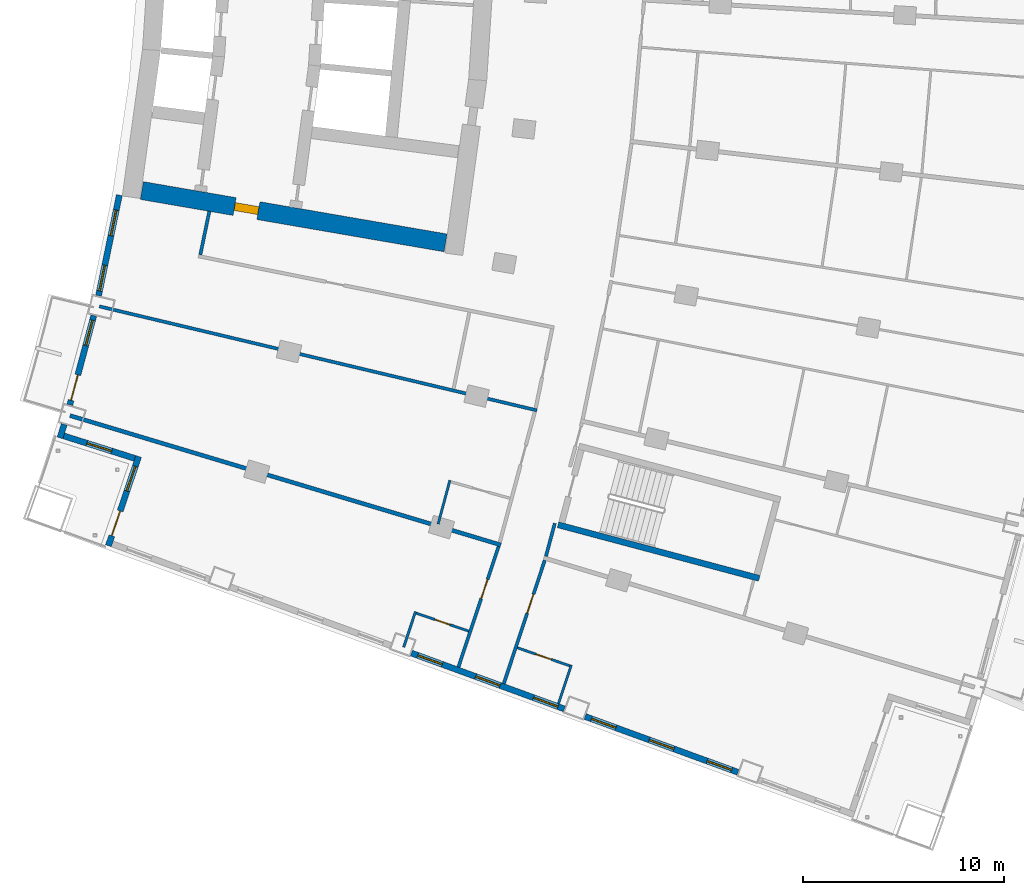
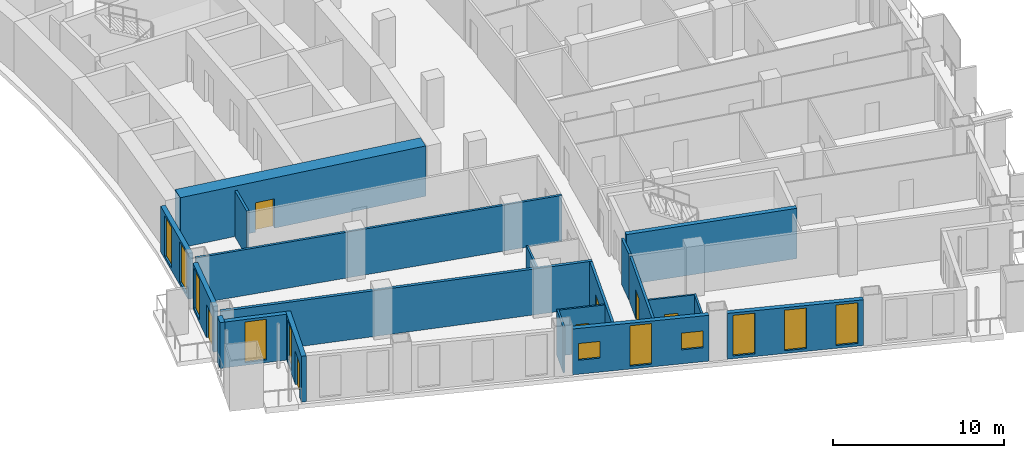
# One storey, part 13 of 25: 20 walls, 11 windows, 7 doors, 18 openings.
"""IFC4 building model written with IfcOpenShell, lengths in metres."""

from ifc_helpers import new_model, si_unit, direction, frame, frame_2d, origin, place, context, subcontext, project, spatial, rectangle, extrude, material, layer, layer_set, type_object, element, fill, save


model = new_model("IFC4")

# Units and contexts
model_context = context("Model", 3, precision=1e-05, world=origin(), true_north=direction((0.0, 1.0)))
body_context = subcontext(model_context, "Body", "Model", "MODEL_VIEW")
ifc_project = project(units=[si_unit("LENGTHUNIT", "METRE"), si_unit("AREAUNIT", "SQUARE_METRE"), si_unit("VOLUMEUNIT", "CUBIC_METRE"), si_unit("PLANEANGLEUNIT", "RADIAN"), si_unit("MASSUNIT", "GRAM", prefix="KILO")], contexts=[model_context])

# Site, building, storey
site_placement = place(None, origin())
site = spatial("IfcSite", under=ifc_project, at=site_placement, CompositionType="ELEMENT")
building_placement = place(site_placement, origin())
building = spatial("IfcBuilding", under=site, at=building_placement, Name="Alderwake Tower", CompositionType="ELEMENT")
storey_placement = place(building_placement, frame((0.0, 0.0, 35.60009765625)))
storey = spatial("IfcBuildingStorey", under=building, at=storey_placement, Name="L07", CompositionType="ELEMENT", Elevation=35.60009765625)

# Wall, opening, door
ifc_material_1 = material(Name="Concrete C70/85", Category="concrete")
ifc_layer_1 = layer(ifc_material_1, 0.89990234375)
ifc_layer_set_1 = layer_set([ifc_layer_1], Name="Core wall outer 900 C70-85")
wall_type_1 = type_object("IfcWallType", Name="Core wall outer 900 C70-85", PredefinedType="SHEAR", material=ifc_layer_set_1)
wall_1_placement = place(storey_placement, frame((31.11328125, 41.846923828125, 0.0), z_axis=(0.0, 0.0, 1.0), x_axis=(-0.985466640605, 0.169869067972, 0.0)))
wall_1 = element("IfcWall", 1, at=wall_1_placement, inside=storey, type_object=wall_type_1, Name="Core wall CW.070", PredefinedType="SHEAR", context=body_context, shape_type="SweptSolid", body=[
    extrude(rectangle(XDim=15.336669921875, YDim=0.89990234375, at=frame_2d((7.66845703125, 0.0))), origin(), (0.0, 0.0, 1.0), 3.599853515625),
])
opening_1_placement = place(wall_1_placement, frame((9.451904296875, 0.0, 0.0)))
opening_1 = element("IfcOpeningElement", 2, at=opening_1_placement, cuts=wall_1, Name="Opening C003", PredefinedType="OPENING", context=body_context, shape_type="SweptSolid", body=[
    extrude(rectangle(XDim=1.199951171875, YDim=2.10009765625, at=frame_2d((0.60009765625, 1.050048828125))), frame((0.0, 0.4599609375, 0.0), z_axis=(0.0, -1.0, 0.0), x_axis=(1.0, 0.0, 0.0)), (0.0, 0.0, 1.0), 0.919921875),
])
ifc_material_2 = material(Name="Steel-framed fire door leaf", Category="steel")
door_type_1 = type_object("IfcDoorType", Name="Core lobby exit door 1200 fire-rated", OperationType="SINGLE_SWING_LEFT", PredefinedType="DOOR", material=ifc_material_2)
door_1_placement = place(opening_1_placement, origin())
door_1 = element("IfcDoor", 3, at=door_1_placement, inside=storey, type_object=door_type_1, Name="Lobby door", OperationType="SINGLE_SWING_LEFT", OverallHeight=2.10009765625, OverallWidth=1.199951171875, PredefinedType="DOOR", context=body_context, shape_type="SweptSolid", body=[
    extrude(rectangle(XDim=1.199951171875, YDim=2.10009765625, at=frame_2d((0.60009765625, 1.050048828125))), frame((0.0, 0.199951171875, 0.0), z_axis=(0.0, -1.0, 0.0), x_axis=(1.0, 0.0, 0.0)), (0.0, 0.0, 1.0), 0.39990234375),
])
fill(opening_1, door_1)

# Walls
ifc_material_3 = material(Name="Concrete C70/85", Category="concrete")
ifc_layer_2 = layer(ifc_material_3, 0.300048828125)
ifc_layer_set_2 = layer_set([ifc_layer_2], Name="Core wall stair enclosure 300 C70-85")
wall_type_2 = type_object("IfcWallType", Name="Core wall stair enclosure 300 C70-85", PredefinedType="SHEAR", material=ifc_layer_set_2)
wall_2_placement = place(storey_placement, frame((36.71142578125, 27.817626953125, 0.0), z_axis=(0.0, 0.0, 1.0), x_axis=(0.966309214305, -0.257383958996, 0.0)))
element("IfcWall", 4, at=wall_2_placement, inside=storey, type_object=wall_type_2, Name="Core wall CW.088", PredefinedType="SHEAR", context=body_context, shape_type="SweptSolid", body=[
    extrude(rectangle(XDim=10.360107421875, YDim=0.300048828125, at=frame_2d((5.18017578125, 0.0))), origin(), (0.0, 0.0, 1.0), 3.599853515625),
])
ifc_material_4 = material(Name="Gypsum board on metal studs, rated")
ifc_layer_3 = layer(ifc_material_4, 0.159912109375)
ifc_layer_set_3 = layer_set([ifc_layer_3], Name="Corridor wall 160")
wall_type_3 = type_object("IfcWallType", Name="Corridor wall 160", PredefinedType="PARTITIONING", material=ifc_layer_set_3)
wall_3_placement = place(storey_placement, frame((13.884033203125, 38.68798828125, 0.0), z_axis=(0.0, 0.0, 1.0), x_axis=(0.972893462073, -0.231253781493, 0.0)))
element("IfcWall", 5, at=wall_3_placement, inside=storey, type_object=wall_type_3, Name="WL/L07/W16", PredefinedType="PARTITIONING", context=body_context, shape_type="SweptSolid", body=[
    extrude(rectangle(XDim=22.38037109375, YDim=0.159912109375, at=frame_2d((11.190185546875, 0.0))), origin(), (0.0, 0.0, 1.0), 3.27978515625),
])
wall_4_placement = place(storey_placement, frame((19.35888671875, 43.430908203125, 0.0), z_axis=(0.0, 0.0, 1.0), x_axis=(-0.202554916658, -0.979270905183, 0.0)))
element("IfcWall", 6, at=wall_4_placement, inside=storey, type_object=wall_type_3, Name="WL/L07/W19", PredefinedType="PARTITIONING", context=body_context, shape_type="SweptSolid", body=[
    extrude(rectangle(XDim=2.229736328125, YDim=0.159912109375, at=frame_2d((1.11474609375, 0.0))), origin(), (0.0, 0.0, 1.0), 3.27978515625),
])

# Wall, opening, door
wall_5_placement = place(storey_placement, frame((31.7548828125, 20.739013671875, 0.0), z_axis=(0.0, 0.0, 1.0), x_axis=(0.31554473692, 0.948910701279, 0.0)))
wall_5 = element("IfcWall", 7, at=wall_5_placement, inside=storey, type_object=wall_type_3, Name="WL/L07/W21", PredefinedType="PARTITIONING", context=body_context, shape_type="SweptSolid", body=[
    extrude(rectangle(XDim=6.327392578125, YDim=0.159912109375, at=frame_2d((3.16357421875, 0.0))), origin(), (0.0, 0.0, 1.0), 3.27978515625),
])
opening_2_placement = place(wall_5_placement, frame((3.59130859375, 0.0, 0.0)))
opening_2 = element("IfcOpeningElement", 8, at=opening_2_placement, cuts=wall_5, Name="Opening R01-U10.1", PredefinedType="OPENING", context=body_context, shape_type="SweptSolid", body=[
    extrude(rectangle(XDim=1.0, YDim=2.10009765625, at=frame_2d((0.5, 1.050048828125))), frame((0.0, 0.08984375, 0.0), z_axis=(0.0, -1.0, 0.0), x_axis=(1.0, 0.0, 0.0)), (0.0, 0.0, 1.0), 0.179931640625),
])
ifc_material_5 = material(Name="Solid timber leaf in steel frame", Category="steel")
door_type_2 = type_object("IfcDoorType", Name="Flat entrance door 1000 fire-rated", OperationType="SINGLE_SWING_LEFT", PredefinedType="DOOR", material=ifc_material_5)
door_2_placement = place(opening_2_placement, origin())
door_2 = element("IfcDoor", 9, at=door_2_placement, inside=storey, type_object=door_type_2, Name="DR/L07/U10.1", OperationType="SINGLE_SWING_LEFT", OverallHeight=2.10009765625, OverallWidth=1.0, PredefinedType="DOOR", context=body_context, shape_type="SweptSolid", body=[
    extrude(rectangle(XDim=1.0, YDim=2.10009765625, at=frame_2d((0.5, 1.050048828125))), frame((0.0, 0.02490234375, 0.0), z_axis=(0.0, -1.0, 0.0), x_axis=(1.0, 0.0, 0.0)), (0.0, 0.0, 1.0), 0.050048828125),
])
fill(opening_2, door_2)

wall_6_placement = place(storey_placement, frame((36.049560546875, 26.052978515625, 0.0), z_axis=(0.0, 0.0, 1.0), x_axis=(-0.315151894598, -0.949041244273, 0.0)))
wall_6 = element("IfcWall", 10, at=wall_6_placement, inside=storey, type_object=wall_type_3, Name="WL/L07/W23", PredefinedType="PARTITIONING", context=body_context, shape_type="SweptSolid", body=[
    extrude(rectangle(XDim=6.468505859375, YDim=0.159912109375, at=frame_2d((3.234375, 0.0))), origin(), (0.0, 0.0, 1.0), 3.27978515625),
])
opening_3_placement = place(wall_6_placement, frame((1.7822265625, 0.0, 0.0)))
opening_3 = element("IfcOpeningElement", 11, at=opening_3_placement, cuts=wall_6, Name="Opening R01-U03.1", PredefinedType="OPENING", context=body_context, shape_type="SweptSolid", body=[
    extrude(rectangle(XDim=1.0, YDim=2.10009765625, at=frame_2d((0.5, 1.050048828125))), frame((0.0, 0.08984375, 0.0), z_axis=(0.0, -1.0, 0.0), x_axis=(1.0, 0.0, 0.0)), (0.0, 0.0, 1.0), 0.179931640625),
])
door_3_placement = place(opening_3_placement, origin())
door_3 = element("IfcDoor", 12, at=door_3_placement, inside=storey, type_object=door_type_2, Name="DR/L07/U03.1", OperationType="SINGLE_SWING_LEFT", OverallHeight=2.10009765625, OverallWidth=1.0, PredefinedType="DOOR", context=body_context, shape_type="SweptSolid", body=[
    extrude(rectangle(XDim=1.0, YDim=2.10009765625, at=frame_2d((0.5, 1.050048828125))), frame((0.0, 0.02490234375, 0.0), z_axis=(0.0, -1.0, 0.0), x_axis=(1.0, 0.0, 0.0)), (0.0, 0.0, 1.0), 0.050048828125),
])
fill(opening_3, door_3)

# Walls
wall_7_placement = place(storey_placement, frame((36.10693359375, 26.24462890625, 0.0), z_axis=(0.0, 0.0, 1.0), x_axis=(0.259346865847, 0.965784242559, 0.0)))
element("IfcWall", 13, at=wall_7_placement, inside=storey, type_object=wall_type_3, Name="WL/L07/W27", PredefinedType="PARTITIONING", context=body_context, shape_type="SweptSolid", body=[
    extrude(rectangle(XDim=1.704833984375, YDim=0.159912109375, at=frame_2d((0.8525390625, 0.0))), origin(), (0.0, 0.0, 1.0), 3.27978515625),
])
ifc_material_6 = material(Name="Precast concrete C50/60 spandrel panel", Category="concrete")
ifc_layer_4 = layer(ifc_material_6, 0.300048828125)
ifc_layer_set_4 = layer_set([ifc_layer_4], Name="External wall EW1 Precast concrete C50/60 spandrel")
wall_type_4 = type_object("IfcWallType", Name="External wall EW1 Precast concrete C50/60 spandrel", PredefinedType="SOLIDWALL", material=ifc_layer_set_4)
wall_8_placement = place(storey_placement, frame((12.1328125, 32.814453125, 0.0), z_axis=(0.0, 0.0, 1.0), x_axis=(-0.294671831364, -0.955598509731, 0.0)))
element("IfcWall", 14, at=wall_8_placement, inside=storey, type_object=wall_type_4, Name="External wall 1", PredefinedType="SOLIDWALL", context=body_context, shape_type="SweptSolid", body=[
    extrude(rectangle(XDim=0.70263671875, YDim=0.300048828125, at=frame_2d((0.351318359375, 0.0))), origin(), (0.0, 0.0, 1.0), 3.27978515625),
])

# Wall, openings, windows
wall_9_placement = place(storey_placement, frame((14.878173828125, 44.223388671875, 0.0), z_axis=(0.0, 0.0, 1.0), x_axis=(-0.202738354746, -0.979232944459, 0.0)))
wall_9 = element("IfcWall", 15, at=wall_9_placement, inside=storey, type_object=wall_type_4, Name="External wall 35", PredefinedType="SOLIDWALL", context=body_context, shape_type="SweptSolid", body=[
    extrude(rectangle(XDim=5.1083984375, YDim=0.300048828125, at=frame_2d((2.55419921875, 0.0))), origin(), (0.0, 0.0, 1.0), 3.27978515625),
])
opening_4_placement = place(wall_9_placement, frame((0.75634765625, 0.0, 0.199951171875)))
opening_4 = element("IfcOpeningElement", 16, at=opening_4_placement, cuts=wall_9, Name="Opening W1", PredefinedType="OPENING", context=body_context, shape_type="SweptSolid", body=[
    extrude(rectangle(XDim=1.300048828125, YDim=2.89990234375, at=frame_2d((0.64990234375, 1.449951171875))), frame((0.0, 0.159912109375, 0.0), z_axis=(0.0, -1.0, 0.0), x_axis=(1.0, 0.0, 0.0)), (0.0, 0.0, 1.0), 0.320068359375),
])
opening_5_placement = place(wall_9_placement, frame((3.569091796875, 0.0, 0.199951171875)))
opening_5 = element("IfcOpeningElement", 17, at=opening_5_placement, cuts=wall_9, Name="Opening W1", PredefinedType="OPENING", context=body_context, shape_type="SweptSolid", body=[
    extrude(rectangle(XDim=1.300048828125, YDim=2.89990234375, at=frame_2d((0.64990234375, 1.449951171875))), frame((0.0, 0.159912109375, 0.0), z_axis=(0.0, -1.0, 0.0), x_axis=(1.0, 0.0, 0.0)), (0.0, 0.0, 1.0), 0.320068359375),
])
ifc_material_7 = material(Name="Bronze tinted glass in aluminium frame", Category="aluminium")
window_type_1 = type_object("IfcWindowType", Name="Window W1 tall fixed and vent", PartitioningType="DOUBLE_PANEL_VERTICAL", PredefinedType="WINDOW", material=ifc_material_7)
window_1_placement = place(opening_4_placement, origin())
window_1 = element("IfcWindow", 18, at=window_1_placement, inside=storey, type_object=window_type_1, Name="Window W1 tall fixed and vent", OverallHeight=2.89990234375, OverallWidth=1.300048828125, PartitioningType="DOUBLE_PANEL_VERTICAL", PredefinedType="WINDOW", context=body_context, shape_type="SweptSolid", body=[
    extrude(rectangle(XDim=1.300048828125, YDim=2.89990234375, at=frame_2d((0.64990234375, 1.449951171875))), frame((0.0, 0.030029296875, 0.0), z_axis=(0.0, -1.0, 0.0), x_axis=(1.0, 0.0, 0.0)), (0.0, 0.0, 1.0), 0.06005859375),
])
fill(opening_4, window_1)
window_2_placement = place(opening_5_placement, origin())
window_2 = element("IfcWindow", 19, at=window_2_placement, inside=storey, type_object=window_type_1, Name="Window W1 tall fixed and vent", OverallHeight=2.89990234375, OverallWidth=1.300048828125, PartitioningType="DOUBLE_PANEL_VERTICAL", PredefinedType="WINDOW", context=body_context, shape_type="SweptSolid", body=[
    extrude(rectangle(XDim=1.300048828125, YDim=2.89990234375, at=frame_2d((0.64990234375, 1.449951171875))), frame((0.0, 0.030029296875, 0.0), z_axis=(0.0, -1.0, 0.0), x_axis=(1.0, 0.0, 0.0)), (0.0, 0.0, 1.0), 0.06005859375),
])
fill(opening_5, window_2)

# Wall, openings, door, window
wall_10_placement = place(storey_placement, frame((13.606689453125, 38.229248046875, 0.0), z_axis=(0.0, 0.0, 1.0), x_axis=(-0.259495671332, -0.965744270788, 0.0)))
wall_10 = element("IfcWall", 20, at=wall_10_placement, inside=storey, type_object=wall_type_4, Name="External wall 36", PredefinedType="SOLIDWALL", context=body_context, shape_type="SweptSolid", body=[
    extrude(rectangle(XDim=4.599609375, YDim=0.300048828125, at=frame_2d((2.2998046875, 0.0))), origin(), (0.0, 0.0, 1.0), 3.27978515625),
])
opening_6_placement = place(wall_10_placement, frame((0.2412109375, 0.0, 0.199951171875)))
opening_6 = element("IfcOpeningElement", 21, at=opening_6_placement, cuts=wall_10, Name="Opening W1", PredefinedType="OPENING", context=body_context, shape_type="SweptSolid", body=[
    extrude(rectangle(XDim=1.300048828125, YDim=2.89990234375, at=frame_2d((0.64990234375, 1.449951171875))), frame((0.0, 0.159912109375, 0.0), z_axis=(0.0, -1.0, 0.0), x_axis=(1.0, 0.0, 0.0)), (0.0, 0.0, 1.0), 0.320068359375),
])
opening_7_placement = place(wall_10_placement, frame((3.058349609375, 0.0, 0.0)))
opening_7 = element("IfcOpeningElement", 22, at=opening_7_placement, cuts=wall_10, Name="Opening D15", PredefinedType="OPENING", context=body_context, shape_type="SweptSolid", body=[
    extrude(rectangle(XDim=1.300048828125, YDim=2.39990234375, at=frame_2d((0.64990234375, 1.199951171875))), frame((0.0, 0.159912109375, 0.0), z_axis=(0.0, -1.0, 0.0), x_axis=(1.0, 0.0, 0.0)), (0.0, 0.0, 1.0), 0.320068359375),
])
ifc_material_8 = material(Name="Bronze tinted glass in aluminium frame", Category="aluminium")
door_type_3 = type_object("IfcDoorType", Name="Balcony door BD sliding", OperationType="SLIDING_TO_LEFT", PredefinedType="DOOR", material=ifc_material_8)
door_4_placement = place(opening_7_placement, origin())
door_4 = element("IfcDoor", 23, at=door_4_placement, inside=storey, type_object=door_type_3, Name="Door D15", OperationType="SLIDING_TO_LEFT", OverallHeight=2.39990234375, OverallWidth=1.300048828125, PredefinedType="DOOR", context=body_context, shape_type="SweptSolid", body=[
    extrude(rectangle(XDim=1.300048828125, YDim=2.39990234375, at=frame_2d((0.64990234375, 1.199951171875))), frame((0.0, 0.02490234375, 0.0), z_axis=(0.0, -1.0, 0.0), x_axis=(1.0, 0.0, 0.0)), (0.0, 0.0, 1.0), 0.050048828125),
])
fill(opening_7, door_4)
window_3_placement = place(opening_6_placement, origin())
window_3 = element("IfcWindow", 24, at=window_3_placement, inside=storey, type_object=window_type_1, Name="Window W1 tall fixed and vent", OverallHeight=2.89990234375, OverallWidth=1.300048828125, PartitioningType="DOUBLE_PANEL_VERTICAL", PredefinedType="WINDOW", context=body_context, shape_type="SweptSolid", body=[
    extrude(rectangle(XDim=1.300048828125, YDim=2.89990234375, at=frame_2d((0.64990234375, 1.449951171875))), frame((0.0, 0.030029296875, 0.0), z_axis=(0.0, -1.0, 0.0), x_axis=(1.0, 0.0, 0.0)), (0.0, 0.0, 1.0), 0.06005859375),
])
fill(opening_6, window_3)

# Wall, opening, window
ifc_material_9 = material(Name="Bronze metal cladding on lightweight framing")
ifc_layer_5 = layer(ifc_material_9, 0.300048828125)
ifc_layer_set_5 = layer_set([ifc_layer_5], Name="External wall EW2 bronze metal cladding")
wall_type_5 = type_object("IfcWallType", Name="External wall EW2 bronze metal cladding", PredefinedType="SOLIDWALL", material=ifc_layer_set_5)
wall_11_placement = place(storey_placement, frame((12.113037109375, 32.2412109375, 0.0), z_axis=(0.0, 0.0, 1.0), x_axis=(0.953458128271, -0.301525451054, 0.0)))
wall_11 = element("IfcWall", 25, at=wall_11_placement, inside=storey, type_object=wall_type_5, Name="External wall 2", PredefinedType="SOLIDWALL", context=body_context, shape_type="SweptSolid", body=[
    extrude(rectangle(XDim=3.705810546875, YDim=0.300048828125, at=frame_2d((1.85302734375, 0.0))), origin(), (0.0, 0.0, 1.0), 3.27978515625),
])
opening_8_placement = place(wall_11_placement, frame((1.202880859375, 0.0, 0.199951171875)))
opening_8 = element("IfcOpeningElement", 26, at=opening_8_placement, cuts=wall_11, Name="Opening W1", PredefinedType="OPENING", context=body_context, shape_type="SweptSolid", body=[
    extrude(rectangle(XDim=1.300048828125, YDim=2.89990234375, at=frame_2d((0.64990234375, 1.449951171875))), frame((0.0, 0.159912109375, 0.0), z_axis=(0.0, -1.0, 0.0), x_axis=(1.0, 0.0, 0.0)), (0.0, 0.0, 1.0), 0.320068359375),
])
window_4_placement = place(opening_8_placement, origin())
window_4 = element("IfcWindow", 27, at=window_4_placement, inside=storey, type_object=window_type_1, Name="Window W1 tall fixed and vent", OverallHeight=2.89990234375, OverallWidth=1.300048828125, PartitioningType="DOUBLE_PANEL_VERTICAL", PredefinedType="WINDOW", context=body_context, shape_type="SweptSolid", body=[
    extrude(rectangle(XDim=1.300048828125, YDim=2.89990234375, at=frame_2d((0.64990234375, 1.449951171875))), frame((0.0, 0.030029296875, 0.0), z_axis=(0.0, -1.0, 0.0), x_axis=(1.0, 0.0, 0.0)), (0.0, 0.0, 1.0), 0.06005859375),
])
fill(opening_8, window_4)

# Wall, openings, door, window
wall_12_placement = place(storey_placement, frame((15.83740234375, 31.220703125, 0.0), z_axis=(0.0, 0.0, 1.0), x_axis=(-0.32041006121, -0.947278941324, 0.0)))
wall_12 = element("IfcWall", 28, at=wall_12_placement, inside=storey, type_object=wall_type_5, Name="External wall 3", PredefinedType="SOLIDWALL", context=body_context, shape_type="SweptSolid", body=[
    extrude(rectangle(XDim=4.68994140625, YDim=0.300048828125, at=frame_2d((2.344970703125, 0.0))), origin(), (0.0, 0.0, 1.0), 3.27978515625),
])
opening_9_placement = place(wall_12_placement, frame((0.5224609375, 0.0, 0.199951171875)))
opening_9 = element("IfcOpeningElement", 29, at=opening_9_placement, cuts=wall_12, Name="Opening W1", PredefinedType="OPENING", context=body_context, shape_type="SweptSolid", body=[
    extrude(rectangle(XDim=1.300048828125, YDim=2.89990234375, at=frame_2d((0.64990234375, 1.449951171875))), frame((0.0, 0.159912109375, 0.0), z_axis=(0.0, -1.0, 0.0), x_axis=(1.0, 0.0, 0.0)), (0.0, 0.0, 1.0), 0.320068359375),
])
opening_10_placement = place(wall_12_placement, frame((2.867431640625, 0.0, 0.0)))
opening_10 = element("IfcOpeningElement", 30, at=opening_10_placement, cuts=wall_12, Name="Opening D01", PredefinedType="OPENING", context=body_context, shape_type="SweptSolid", body=[
    extrude(rectangle(XDim=1.300048828125, YDim=2.39990234375, at=frame_2d((0.64990234375, 1.199951171875))), frame((0.0, 0.159912109375, 0.0), z_axis=(0.0, -1.0, 0.0), x_axis=(1.0, 0.0, 0.0)), (0.0, 0.0, 1.0), 0.320068359375),
])
door_5_placement = place(opening_10_placement, origin())
door_5 = element("IfcDoor", 31, at=door_5_placement, inside=storey, type_object=door_type_3, Name="Door D01", OperationType="SLIDING_TO_LEFT", OverallHeight=2.39990234375, OverallWidth=1.300048828125, PredefinedType="DOOR", context=body_context, shape_type="SweptSolid", body=[
    extrude(rectangle(XDim=1.300048828125, YDim=2.39990234375, at=frame_2d((0.64990234375, 1.199951171875))), frame((0.0, 0.02490234375, 0.0), z_axis=(0.0, -1.0, 0.0), x_axis=(1.0, 0.0, 0.0)), (0.0, 0.0, 1.0), 0.050048828125),
])
fill(opening_10, door_5)
window_5_placement = place(opening_9_placement, origin())
window_5 = element("IfcWindow", 32, at=window_5_placement, inside=storey, type_object=window_type_1, Name="Window W1 tall fixed and vent", OverallHeight=2.89990234375, OverallWidth=1.300048828125, PartitioningType="DOUBLE_PANEL_VERTICAL", PredefinedType="WINDOW", context=body_context, shape_type="SweptSolid", body=[
    extrude(rectangle(XDim=1.300048828125, YDim=2.89990234375, at=frame_2d((0.64990234375, 1.449951171875))), frame((0.0, 0.030029296875, 0.0), z_axis=(0.0, -1.0, 0.0), x_axis=(1.0, 0.0, 0.0)), (0.0, 0.0, 1.0), 0.06005859375),
])
fill(opening_9, window_5)

# Wall, openings, windows
wall_13_placement = place(storey_placement, frame((29.416748046875, 21.432373046875, 0.0), z_axis=(0.0, 0.0, 1.0), x_axis=(0.939375360712, -0.34289055351, 0.0)))
wall_13 = element("IfcWall", 33, at=wall_13_placement, inside=storey, type_object=wall_type_5, Name="External wall 6", PredefinedType="SOLIDWALL", context=body_context, shape_type="SweptSolid", body=[
    extrude(rectangle(XDim=8.095458984375, YDim=0.300048828125, at=frame_2d((4.0478515625, 0.0))), origin(), (0.0, 0.0, 1.0), 3.27978515625),
])
opening_11_placement = place(wall_13_placement, frame((0.3310546875, 0.0, 1.0)))
opening_11 = element("IfcOpeningElement", 34, at=opening_11_placement, cuts=wall_13, Name="Opening W2", PredefinedType="OPENING", context=body_context, shape_type="SweptSolid", body=[
    extrude(rectangle(XDim=1.300048828125, YDim=1.199951171875, at=frame_2d((0.64990234375, 0.60009765625))), frame((0.0, 0.159912109375, 0.0), z_axis=(0.0, -1.0, 0.0), x_axis=(1.0, 0.0, 0.0)), (0.0, 0.0, 1.0), 0.320068359375),
])
opening_12_placement = place(wall_13_placement, frame((3.397705078125, 0.0, 0.199951171875)))
opening_12 = element("IfcOpeningElement", 35, at=opening_12_placement, cuts=wall_13, Name="Opening W1", PredefinedType="OPENING", context=body_context, shape_type="SweptSolid", body=[
    extrude(rectangle(XDim=1.300048828125, YDim=2.89990234375, at=frame_2d((0.64990234375, 1.449951171875))), frame((0.0, 0.159912109375, 0.0), z_axis=(0.0, -1.0, 0.0), x_axis=(1.0, 0.0, 0.0)), (0.0, 0.0, 1.0), 0.320068359375),
])
opening_13_placement = place(wall_13_placement, frame((6.464599609375, 0.0, 1.0)))
opening_13 = element("IfcOpeningElement", 36, at=opening_13_placement, cuts=wall_13, Name="Opening W2", PredefinedType="OPENING", context=body_context, shape_type="SweptSolid", body=[
    extrude(rectangle(XDim=1.300048828125, YDim=1.199951171875, at=frame_2d((0.64990234375, 0.60009765625))), frame((0.0, 0.159912109375, 0.0), z_axis=(0.0, -1.0, 0.0), x_axis=(1.0, 0.0, 0.0)), (0.0, 0.0, 1.0), 0.320068359375),
])
window_6_placement = place(opening_12_placement, origin())
window_6 = element("IfcWindow", 37, at=window_6_placement, inside=storey, type_object=window_type_1, Name="Window W1 tall fixed and vent", OverallHeight=2.89990234375, OverallWidth=1.300048828125, PartitioningType="DOUBLE_PANEL_VERTICAL", PredefinedType="WINDOW", context=body_context, shape_type="SweptSolid", body=[
    extrude(rectangle(XDim=1.300048828125, YDim=2.89990234375, at=frame_2d((0.64990234375, 1.449951171875))), frame((0.0, 0.030029296875, 0.0), z_axis=(0.0, -1.0, 0.0), x_axis=(1.0, 0.0, 0.0)), (0.0, 0.0, 1.0), 0.06005859375),
])
fill(opening_12, window_6)
ifc_material_10 = material(Name="Bronze tinted glass in aluminium frame", Category="aluminium")
window_type_2 = type_object("IfcWindowType", Name="Window W2 kitchen and bath", PartitioningType="SINGLE_PANEL", PredefinedType="WINDOW", material=ifc_material_10)
window_7_placement = place(opening_11_placement, origin())
window_7 = element("IfcWindow", 38, at=window_7_placement, inside=storey, type_object=window_type_2, Name="Window W2 kitchen and bath", OverallHeight=1.199951171875, OverallWidth=1.300048828125, PartitioningType="SINGLE_PANEL", PredefinedType="WINDOW", context=body_context, shape_type="SweptSolid", body=[
    extrude(rectangle(XDim=1.300048828125, YDim=1.199951171875, at=frame_2d((0.64990234375, 0.60009765625))), frame((0.0, 0.030029296875, 0.0), z_axis=(0.0, -1.0, 0.0), x_axis=(1.0, 0.0, 0.0)), (0.0, 0.0, 1.0), 0.06005859375),
])
fill(opening_11, window_7)
window_8_placement = place(opening_13_placement, origin())
window_8 = element("IfcWindow", 39, at=window_8_placement, inside=storey, type_object=window_type_2, Name="Window W2 kitchen and bath", OverallHeight=1.199951171875, OverallWidth=1.300048828125, PartitioningType="SINGLE_PANEL", PredefinedType="WINDOW", context=body_context, shape_type="SweptSolid", body=[
    extrude(rectangle(XDim=1.300048828125, YDim=1.199951171875, at=frame_2d((0.64990234375, 0.60009765625))), frame((0.0, 0.030029296875, 0.0), z_axis=(0.0, -1.0, 0.0), x_axis=(1.0, 0.0, 0.0)), (0.0, 0.0, 1.0), 0.06005859375),
])
fill(opening_13, window_8)

wall_14_placement = place(storey_placement, frame((38.058837890625, 18.277587890625, 0.0), z_axis=(0.0, 0.0, 1.0), x_axis=(0.939382451577, -0.342871126912, 0.0)))
wall_14 = element("IfcWall", 40, at=wall_14_placement, inside=storey, type_object=wall_type_5, Name="External wall 7", PredefinedType="SOLIDWALL", context=body_context, shape_type="SweptSolid", body=[
    extrude(rectangle(XDim=8.095947265625, YDim=0.300048828125, at=frame_2d((4.0478515625, 0.0))), origin(), (0.0, 0.0, 1.0), 3.27978515625),
])
opening_14_placement = place(wall_14_placement, frame((0.331298828125, 0.0, 0.199951171875)))
opening_14 = element("IfcOpeningElement", 41, at=opening_14_placement, cuts=wall_14, Name="Opening W1", PredefinedType="OPENING", context=body_context, shape_type="SweptSolid", body=[
    extrude(rectangle(XDim=1.300048828125, YDim=2.89990234375, at=frame_2d((0.64990234375, 1.449951171875))), frame((0.0, 0.159912109375, 0.0), z_axis=(0.0, -1.0, 0.0), x_axis=(1.0, 0.0, 0.0)), (0.0, 0.0, 1.0), 0.320068359375),
])
opening_15_placement = place(wall_14_placement, frame((3.39794921875, 0.0, 0.199951171875)))
opening_15 = element("IfcOpeningElement", 42, at=opening_15_placement, cuts=wall_14, Name="Opening W1", PredefinedType="OPENING", context=body_context, shape_type="SweptSolid", body=[
    extrude(rectangle(XDim=1.300048828125, YDim=2.89990234375, at=frame_2d((0.64990234375, 1.449951171875))), frame((0.0, 0.159912109375, 0.0), z_axis=(0.0, -1.0, 0.0), x_axis=(1.0, 0.0, 0.0)), (0.0, 0.0, 1.0), 0.320068359375),
])
opening_16_placement = place(wall_14_placement, frame((6.464599609375, 0.0, 0.199951171875)))
opening_16 = element("IfcOpeningElement", 43, at=opening_16_placement, cuts=wall_14, Name="Opening W1", PredefinedType="OPENING", context=body_context, shape_type="SweptSolid", body=[
    extrude(rectangle(XDim=1.300048828125, YDim=2.89990234375, at=frame_2d((0.64990234375, 1.449951171875))), frame((0.0, 0.159912109375, 0.0), z_axis=(0.0, -1.0, 0.0), x_axis=(1.0, 0.0, 0.0)), (0.0, 0.0, 1.0), 0.320068359375),
])
window_9_placement = place(opening_14_placement, origin())
window_9 = element("IfcWindow", 44, at=window_9_placement, inside=storey, type_object=window_type_1, Name="Window W1 tall fixed and vent", OverallHeight=2.89990234375, OverallWidth=1.300048828125, PartitioningType="DOUBLE_PANEL_VERTICAL", PredefinedType="WINDOW", context=body_context, shape_type="SweptSolid", body=[
    extrude(rectangle(XDim=1.300048828125, YDim=2.89990234375, at=frame_2d((0.64990234375, 1.449951171875))), frame((0.0, 0.030029296875, 0.0), z_axis=(0.0, -1.0, 0.0), x_axis=(1.0, 0.0, 0.0)), (0.0, 0.0, 1.0), 0.06005859375),
])
fill(opening_14, window_9)
window_10_placement = place(opening_15_placement, origin())
window_10 = element("IfcWindow", 45, at=window_10_placement, inside=storey, type_object=window_type_1, Name="Window W1 tall fixed and vent", OverallHeight=2.89990234375, OverallWidth=1.300048828125, PartitioningType="DOUBLE_PANEL_VERTICAL", PredefinedType="WINDOW", context=body_context, shape_type="SweptSolid", body=[
    extrude(rectangle(XDim=1.300048828125, YDim=2.89990234375, at=frame_2d((0.64990234375, 1.449951171875))), frame((0.0, 0.030029296875, 0.0), z_axis=(0.0, -1.0, 0.0), x_axis=(1.0, 0.0, 0.0)), (0.0, 0.0, 1.0), 0.06005859375),
])
fill(opening_15, window_10)
window_11_placement = place(opening_16_placement, origin())
window_11 = element("IfcWindow", 46, at=window_11_placement, inside=storey, type_object=window_type_1, Name="Window W1 tall fixed and vent", OverallHeight=2.89990234375, OverallWidth=1.300048828125, PartitioningType="DOUBLE_PANEL_VERTICAL", PredefinedType="WINDOW", context=body_context, shape_type="SweptSolid", body=[
    extrude(rectangle(XDim=1.300048828125, YDim=2.89990234375, at=frame_2d((0.64990234375, 1.449951171875))), frame((0.0, 0.030029296875, 0.0), z_axis=(0.0, -1.0, 0.0), x_axis=(1.0, 0.0, 0.0)), (0.0, 0.0, 1.0), 0.06005859375),
])
fill(opening_16, window_11)

# Walls
ifc_material_11 = material(Name="Dense block masonry wall", Category="masonry")
ifc_layer_6 = layer(ifc_material_11, 0.199951171875)
ifc_layer_set_6 = layer_set([ifc_layer_6], Name="Party wall 200")
wall_type_6 = type_object("IfcWallType", Name="Party wall 200", PredefinedType="SOLIDWALL", material=ifc_layer_set_6)
wall_15_placement = place(storey_placement, frame((33.859619140625, 26.81494140625, 0.0), z_axis=(0.0, 0.0, 1.0), x_axis=(-0.95775179957, 0.287596054251, 0.0)))
element("IfcWall", 47, at=wall_15_placement, inside=storey, type_object=wall_type_6, Name="WL/L07/W03", PredefinedType="SOLIDWALL", context=body_context, shape_type="SweptSolid", body=[
    extrude(rectangle(XDim=22.382080078125, YDim=0.199951171875, at=frame_2d((11.19091796875, 0.0))), origin(), (0.0, 0.0, 1.0), 3.27978515625),
])
ifc_material_12 = material(Name="Moisture resistant gypsum board on metal studs")
ifc_layer_7 = layer(ifc_material_12, 0.1201171875)
ifc_layer_set_7 = layer_set([ifc_layer_7], Name="Wet room partition 120")
wall_type_7 = type_object("IfcWallType", Name="Wet room partition 120", PredefinedType="PARTITIONING", material=ifc_layer_set_7)
wall_16_placement = place(storey_placement, frame((29.616943359375, 23.495849609375, 0.0), z_axis=(0.0, 0.0, 1.0), x_axis=(-0.315242462823, -0.949011164125, 0.0)))
element("IfcWall", 48, at=wall_16_placement, inside=storey, type_object=wall_type_7, Name="WL/L07/W45", PredefinedType="PARTITIONING", context=body_context, shape_type="SweptSolid", body=[
    extrude(rectangle(XDim=1.858642578125, YDim=0.1201171875, at=frame_2d((0.92919921875, 0.0))), origin(), (0.0, 0.0, 1.0), 3.27978515625),
])
wall_17_placement = place(storey_placement, frame((31.32958984375, 30.031005859375, 0.0), z_axis=(0.0, 0.0, 1.0), x_axis=(-0.260393144933, -0.965502672224, 0.0)))
element("IfcWall", 49, at=wall_17_placement, inside=storey, type_object=wall_type_7, Name="WL/L07/W48", PredefinedType="PARTITIONING", context=body_context, shape_type="SweptSolid", body=[
    extrude(rectangle(XDim=2.2529296875, YDim=0.1201171875, at=frame_2d((1.12646484375, 0.0))), origin(), (0.0, 0.0, 1.0), 3.27978515625),
])

# Wall, opening, door
wall_18_placement = place(storey_placement, frame((32.264404296875, 22.52587890625, 0.0), z_axis=(0.0, 0.0, 1.0), x_axis=(-0.946049080569, 0.324023358964, 0.0)))
wall_18 = element("IfcWall", 50, at=wall_18_placement, inside=storey, type_object=wall_type_7, Name="WL/L07/W50", PredefinedType="PARTITIONING", context=body_context, shape_type="SweptSolid", body=[
    extrude(rectangle(XDim=2.758544921875, YDim=0.1201171875, at=frame_2d((1.37939453125, 0.0))), origin(), (0.0, 0.0, 1.0), 3.27978515625),
])
opening_17_placement = place(wall_18_placement, frame((0.979248046875, 0.0, 0.0)))
opening_17 = element("IfcOpeningElement", 51, at=opening_17_placement, cuts=wall_18, Name="Opening R01-U10.2", PredefinedType="OPENING", context=body_context, shape_type="SweptSolid", body=[
    extrude(rectangle(XDim=0.800048828125, YDim=2.10009765625, at=frame_2d((0.39990234375, 1.050048828125))), frame((0.0, 0.070068359375, 0.0), z_axis=(0.0, -1.0, 0.0), x_axis=(1.0, 0.0, 0.0)), (0.0, 0.0, 1.0), 0.14013671875),
])
ifc_material_13 = material(Name="Painted timber leaf", Category="wood")
door_type_4 = type_object("IfcDoorType", Name="Bathroom door 800", OperationType="SINGLE_SWING_LEFT", PredefinedType="DOOR", material=ifc_material_13)
door_6_placement = place(opening_17_placement, origin())
door_6 = element("IfcDoor", 52, at=door_6_placement, inside=storey, type_object=door_type_4, Name="DR/L07/U10.2", OperationType="SINGLE_SWING_LEFT", OverallHeight=2.10009765625, OverallWidth=0.800048828125, PredefinedType="DOOR", context=body_context, shape_type="SweptSolid", body=[
    extrude(rectangle(XDim=0.800048828125, YDim=2.10009765625, at=frame_2d((0.39990234375, 1.050048828125))), frame((0.0, 0.02490234375, 0.0), z_axis=(0.0, -1.0, 0.0), x_axis=(1.0, 0.0, 0.0)), (0.0, 0.0, 1.0), 0.050048828125),
])
fill(opening_17, door_6)

# Wall
wall_19_placement = place(storey_placement, frame((36.735107421875, 18.9208984375, 0.0), z_axis=(0.0, 0.0, 1.0), x_axis=(0.315212330495, 0.949021172948, 0.0)))
element("IfcWall", 53, at=wall_19_placement, inside=storey, type_object=wall_type_7, Name="WL/L07/W53", PredefinedType="PARTITIONING", context=body_context, shape_type="SweptSolid", body=[
    extrude(rectangle(XDim=2.02001953125, YDim=0.1201171875, at=frame_2d((1.010009765625, 0.0))), origin(), (0.0, 0.0, 1.0), 3.27978515625),
])

# Wall, opening, door
wall_20_placement = place(storey_placement, frame((37.29638671875, 20.800537109375, 0.0), z_axis=(0.0, 0.0, 1.0), x_axis=(-0.94575033225, 0.324894304427, 0.0)))
wall_20 = element("IfcWall", 54, at=wall_20_placement, inside=storey, type_object=wall_type_7, Name="WL/L07/W54", PredefinedType="PARTITIONING", context=body_context, shape_type="SweptSolid", body=[
    extrude(rectangle(XDim=2.75927734375, YDim=0.1201171875, at=frame_2d((1.379638671875, 0.0))), origin(), (0.0, 0.0, 1.0), 3.27978515625),
])
opening_18_placement = place(wall_20_placement, frame((0.9794921875, 0.0, 0.0)))
opening_18 = element("IfcOpeningElement", 55, at=opening_18_placement, cuts=wall_20, Name="Opening R01-U03.2", PredefinedType="OPENING", context=body_context, shape_type="SweptSolid", body=[
    extrude(rectangle(XDim=0.800048828125, YDim=2.10009765625, at=frame_2d((0.39990234375, 1.050048828125))), frame((0.0, 0.070068359375, 0.0), z_axis=(0.0, -1.0, 0.0), x_axis=(1.0, 0.0, 0.0)), (0.0, 0.0, 1.0), 0.14013671875),
])
door_7_placement = place(opening_18_placement, origin())
door_7 = element("IfcDoor", 56, at=door_7_placement, inside=storey, type_object=door_type_4, Name="DR/L07/U03.2", OperationType="SINGLE_SWING_LEFT", OverallHeight=2.10009765625, OverallWidth=0.800048828125, PredefinedType="DOOR", context=body_context, shape_type="SweptSolid", body=[
    extrude(rectangle(XDim=0.800048828125, YDim=2.10009765625, at=frame_2d((0.39990234375, 1.050048828125))), frame((0.0, 0.02490234375, 0.0), z_axis=(0.0, -1.0, 0.0), x_axis=(1.0, 0.0, 0.0)), (0.0, 0.0, 1.0), 0.050048828125),
])
fill(opening_18, door_7)

save(model, "model.ifc")
